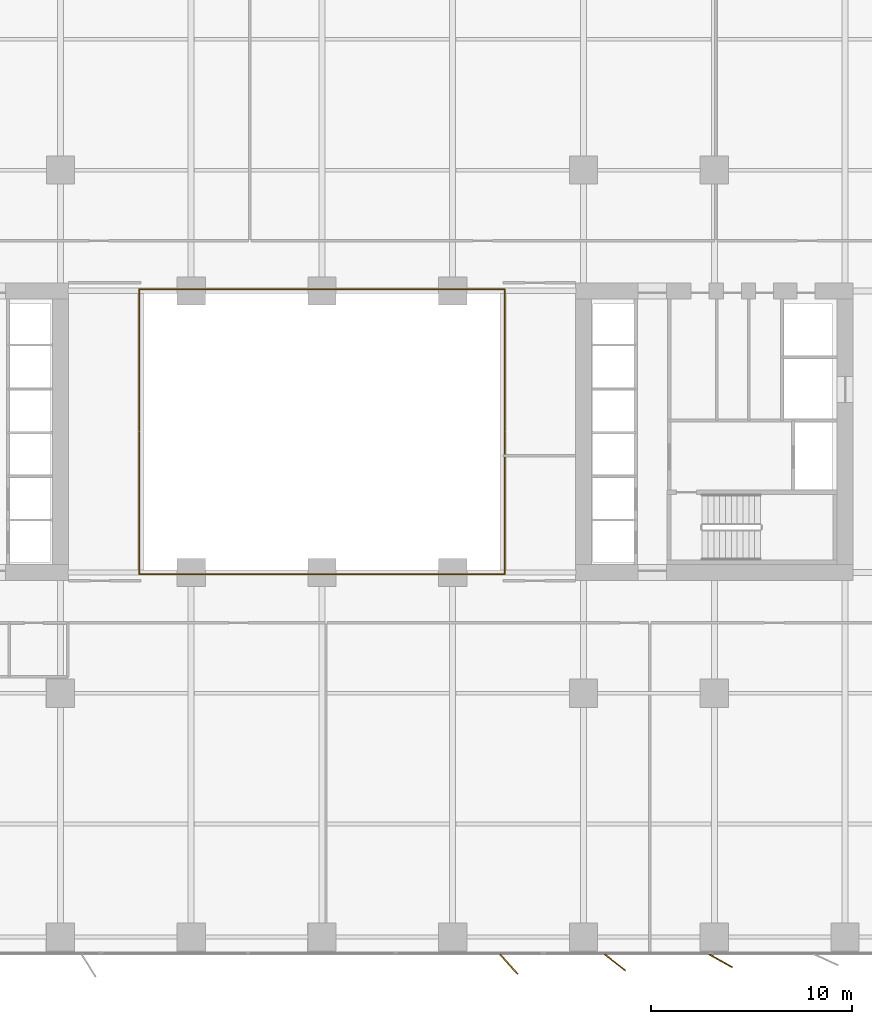
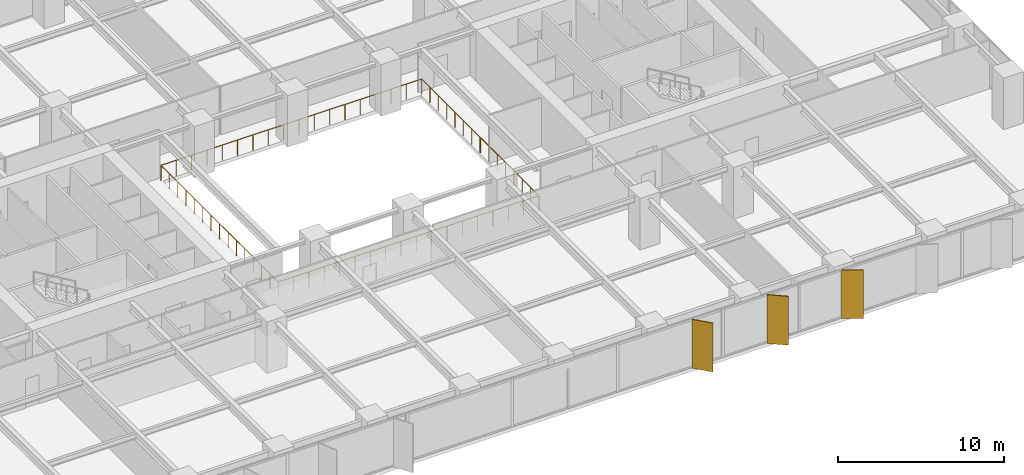
# One storey, part 19 of 21: 3 shading devices, 2 railings.
"""IFC4 building model written with IfcOpenShell, lengths in metres."""

from ifc_helpers import new_model, si_unit, direction, frame, origin, origin_2d, place, context, subcontext, project, spatial, rectangle, circle, extrude, material, layer, layer_set, type_object, element, save


model = new_model("IFC4")

# Units and contexts
model_context = context("Model", 3, precision=1e-05, world=origin(), true_north=direction((0.0, 1.0)))
body_context = subcontext(model_context, "Body", "Model", "MODEL_VIEW")
ifc_project = project(units=[si_unit("LENGTHUNIT", "METRE"), si_unit("AREAUNIT", "SQUARE_METRE"), si_unit("VOLUMEUNIT", "CUBIC_METRE"), si_unit("PLANEANGLEUNIT", "RADIAN"), si_unit("MASSUNIT", "GRAM", prefix="KILO")], contexts=[model_context])

# Site, building, storey
site_placement = place(None, origin())
site = spatial("IfcSite", under=ifc_project, at=site_placement, CompositionType="ELEMENT")
building_placement = place(site_placement, origin())
building = spatial("IfcBuilding", under=site, at=building_placement, Name="Putna Gate Headquarters", CompositionType="ELEMENT")
storey_placement = place(building_placement, frame((0.0, 0.0, 39.199951171875)))
storey = spatial("IfcBuildingStorey", under=building, at=storey_placement, Name="L08", CompositionType="ELEMENT", Elevation=39.199951171875)

# Railings
ifc_material_1 = material(Name="Anodised bronze and laminated glass atrium balustrade", Category="glass")
railing_type = type_object("IfcRailingType", Name="RAIL-ATRIUM-GUARD-1150", PredefinedType="GUARDRAIL", material=ifc_material_1)
railing_1_placement = place(storey_placement, frame((29.919921875, 25.969970703125, 0.0)))
element("IfcRailing", 1, at=railing_1_placement, inside=storey, type_object=railing_type, Name="L08 Central Atrium Glazed Balustrade South", PredefinedType="GUARDRAIL", context=body_context, shape_type="SweptSolid", body=[
    extrude(circle(Radius=0.02392578125, at=origin_2d()), frame((0.0, 0.0, 1.1259765625), z_axis=(0.0, -1.0, 0.0), x_axis=(1.0, 0.0, 0.0)), (0.0, 0.0, 1.0), 7.050048828125),
    extrude(circle(Radius=0.02392578125, at=origin_2d()), frame((0.0, -7.050048828125, 1.1259765625), z_axis=(1.0, 0.0, 0.0), x_axis=(0.0, 1.0, 0.0)), (0.0, 0.0, 1.0), 18.16015625),
    extrude(circle(Radius=0.02392578125, at=origin_2d()), frame((18.16015625, -7.050048828125, 1.1259765625), z_axis=(0.0, 1.0, 0.0), x_axis=(-1.0, 0.0, 0.0)), (0.0, 0.0, 1.0), 7.050048828125),
    extrude(circle(Radius=0.02099609375, at=origin_2d()), origin(), (0.0, 0.0, 1.0), 1.101806640625),
    extrude(circle(Radius=0.02099609375, at=origin_2d()), frame((0.0, -1.007080078125, 0.0)), (0.0, 0.0, 1.0), 1.101806640625),
    extrude(circle(Radius=0.02099609375, at=origin_2d()), frame((0.0, -2.014404296875, 0.0)), (0.0, 0.0, 1.0), 1.101806640625),
    extrude(circle(Radius=0.02099609375, at=origin_2d()), frame((0.0, -3.021484375, 0.0)), (0.0, 0.0, 1.0), 1.101806640625),
    extrude(circle(Radius=0.02099609375, at=origin_2d()), frame((0.0, -4.028564453125, 0.0)), (0.0, 0.0, 1.0), 1.101806640625),
    extrude(circle(Radius=0.02099609375, at=origin_2d()), frame((0.0, -5.03564453125, 0.0)), (0.0, 0.0, 1.0), 1.101806640625),
    extrude(circle(Radius=0.02099609375, at=origin_2d()), frame((0.0, -6.04296875, 0.0)), (0.0, 0.0, 1.0), 1.101806640625),
    extrude(circle(Radius=0.02099609375, at=origin_2d()), frame((0.0, -7.050048828125, 0.0)), (0.0, 0.0, 1.0), 1.101806640625),
    extrude(circle(Radius=0.02099609375, at=origin_2d()), frame((1.068359375, -7.050048828125, 0.0)), (0.0, 0.0, 1.0), 1.101806640625),
    extrude(circle(Radius=0.02099609375, at=origin_2d()), frame((2.136474609375, -7.050048828125, 0.0)), (0.0, 0.0, 1.0), 1.101806640625),
    extrude(circle(Radius=0.02099609375, at=origin_2d()), frame((3.204833984375, -7.050048828125, 0.0)), (0.0, 0.0, 1.0), 1.101806640625),
    extrude(circle(Radius=0.02099609375, at=origin_2d()), frame((4.27294921875, -7.050048828125, 0.0)), (0.0, 0.0, 1.0), 1.101806640625),
    extrude(circle(Radius=0.02099609375, at=origin_2d()), frame((5.34130859375, -7.050048828125, 0.0)), (0.0, 0.0, 1.0), 1.101806640625),
    extrude(circle(Radius=0.02099609375, at=origin_2d()), frame((6.409423828125, -7.050048828125, 0.0)), (0.0, 0.0, 1.0), 1.101806640625),
    extrude(circle(Radius=0.02099609375, at=origin_2d()), frame((7.477783203125, -7.050048828125, 0.0)), (0.0, 0.0, 1.0), 1.101806640625),
    extrude(circle(Radius=0.02099609375, at=origin_2d()), frame((8.5458984375, -7.050048828125, 0.0)), (0.0, 0.0, 1.0), 1.101806640625),
    extrude(circle(Radius=0.02099609375, at=origin_2d()), frame((9.6142578125, -7.050048828125, 0.0)), (0.0, 0.0, 1.0), 1.101806640625),
    extrude(circle(Radius=0.02099609375, at=origin_2d()), frame((10.682373046875, -7.050048828125, 0.0)), (0.0, 0.0, 1.0), 1.101806640625),
    extrude(circle(Radius=0.02099609375, at=origin_2d()), frame((11.750732421875, -7.050048828125, 0.0)), (0.0, 0.0, 1.0), 1.101806640625),
    extrude(circle(Radius=0.02099609375, at=origin_2d()), frame((12.81884765625, -7.050048828125, 0.0)), (0.0, 0.0, 1.0), 1.101806640625),
    extrude(circle(Radius=0.02099609375, at=origin_2d()), frame((13.88720703125, -7.050048828125, 0.0)), (0.0, 0.0, 1.0), 1.101806640625),
    extrude(circle(Radius=0.02099609375, at=origin_2d()), frame((14.955322265625, -7.050048828125, 0.0)), (0.0, 0.0, 1.0), 1.101806640625),
    extrude(circle(Radius=0.02099609375, at=origin_2d()), frame((16.023681640625, -7.050048828125, 0.0)), (0.0, 0.0, 1.0), 1.101806640625),
    extrude(circle(Radius=0.02099609375, at=origin_2d()), frame((17.091796875, -7.050048828125, 0.0)), (0.0, 0.0, 1.0), 1.101806640625),
    extrude(circle(Radius=0.02099609375, at=origin_2d()), frame((18.16015625, -7.050048828125, 0.0)), (0.0, 0.0, 1.0), 1.101806640625),
    extrude(circle(Radius=0.02099609375, at=origin_2d()), frame((18.16015625, -6.04296875, 0.0)), (0.0, 0.0, 1.0), 1.101806640625),
    extrude(circle(Radius=0.02099609375, at=origin_2d()), frame((18.16015625, -5.03564453125, 0.0)), (0.0, 0.0, 1.0), 1.101806640625),
    extrude(circle(Radius=0.02099609375, at=origin_2d()), frame((18.16015625, -4.028564453125, 0.0)), (0.0, 0.0, 1.0), 1.101806640625),
    extrude(circle(Radius=0.02099609375, at=origin_2d()), frame((18.16015625, -3.021484375, 0.0)), (0.0, 0.0, 1.0), 1.101806640625),
    extrude(circle(Radius=0.02099609375, at=origin_2d()), frame((18.16015625, -2.014404296875, 0.0)), (0.0, 0.0, 1.0), 1.101806640625),
    extrude(circle(Radius=0.02099609375, at=origin_2d()), frame((18.16015625, -1.007080078125, 0.0)), (0.0, 0.0, 1.0), 1.101806640625),
    extrude(circle(Radius=0.02099609375, at=origin_2d()), frame((18.16015625, 0.0, 0.0)), (0.0, 0.0, 1.0), 1.101806640625),
])
railing_2_placement = place(storey_placement, frame((48.080078125, 26.030029296875, 0.0)))
element("IfcRailing", 2, at=railing_2_placement, inside=storey, type_object=railing_type, Name="L08 Central Atrium Glazed Balustrade North", PredefinedType="GUARDRAIL", context=body_context, shape_type="SweptSolid", body=[
    extrude(circle(Radius=0.02392578125, at=origin_2d()), frame((0.0, 0.0, 1.1259765625), z_axis=(0.0, 1.0, 0.0), x_axis=(-1.0, 0.0, 0.0)), (0.0, 0.0, 1.0), 7.050048828125),
    extrude(circle(Radius=0.02392578125, at=origin_2d()), frame((0.0, 7.050048828125, 1.1259765625), z_axis=(-1.0, 0.0, 0.0), x_axis=(0.0, -1.0, 0.0)), (0.0, 0.0, 1.0), 18.16015625),
    extrude(circle(Radius=0.02392578125, at=origin_2d()), frame((-18.16015625, 7.050048828125, 1.1259765625), z_axis=(0.0, -1.0, 0.0), x_axis=(1.0, 0.0, 0.0)), (0.0, 0.0, 1.0), 7.050048828125),
    extrude(circle(Radius=0.02099609375, at=origin_2d()), origin(), (0.0, 0.0, 1.0), 1.101806640625),
    extrude(circle(Radius=0.02099609375, at=origin_2d()), frame((0.0, 1.007080078125, 0.0)), (0.0, 0.0, 1.0), 1.101806640625),
    extrude(circle(Radius=0.02099609375, at=origin_2d()), frame((0.0, 2.014404296875, 0.0)), (0.0, 0.0, 1.0), 1.101806640625),
    extrude(circle(Radius=0.02099609375, at=origin_2d()), frame((0.0, 3.021484375, 0.0)), (0.0, 0.0, 1.0), 1.101806640625),
    extrude(circle(Radius=0.02099609375, at=origin_2d()), frame((0.0, 4.028564453125, 0.0)), (0.0, 0.0, 1.0), 1.101806640625),
    extrude(circle(Radius=0.02099609375, at=origin_2d()), frame((0.0, 5.03564453125, 0.0)), (0.0, 0.0, 1.0), 1.101806640625),
    extrude(circle(Radius=0.02099609375, at=origin_2d()), frame((0.0, 6.04296875, 0.0)), (0.0, 0.0, 1.0), 1.101806640625),
    extrude(circle(Radius=0.02099609375, at=origin_2d()), frame((0.0, 7.050048828125, 0.0)), (0.0, 0.0, 1.0), 1.101806640625),
    extrude(circle(Radius=0.02099609375, at=origin_2d()), frame((-1.068359375, 7.050048828125, 0.0)), (0.0, 0.0, 1.0), 1.101806640625),
    extrude(circle(Radius=0.02099609375, at=origin_2d()), frame((-2.136474609375, 7.050048828125, 0.0)), (0.0, 0.0, 1.0), 1.101806640625),
    extrude(circle(Radius=0.02099609375, at=origin_2d()), frame((-3.204833984375, 7.050048828125, 0.0)), (0.0, 0.0, 1.0), 1.101806640625),
    extrude(circle(Radius=0.02099609375, at=origin_2d()), frame((-4.27294921875, 7.050048828125, 0.0)), (0.0, 0.0, 1.0), 1.101806640625),
    extrude(circle(Radius=0.02099609375, at=origin_2d()), frame((-5.34130859375, 7.050048828125, 0.0)), (0.0, 0.0, 1.0), 1.101806640625),
    extrude(circle(Radius=0.02099609375, at=origin_2d()), frame((-6.409423828125, 7.050048828125, 0.0)), (0.0, 0.0, 1.0), 1.101806640625),
    extrude(circle(Radius=0.02099609375, at=origin_2d()), frame((-7.477783203125, 7.050048828125, 0.0)), (0.0, 0.0, 1.0), 1.101806640625),
    extrude(circle(Radius=0.02099609375, at=origin_2d()), frame((-8.5458984375, 7.050048828125, 0.0)), (0.0, 0.0, 1.0), 1.101806640625),
    extrude(circle(Radius=0.02099609375, at=origin_2d()), frame((-9.6142578125, 7.050048828125, 0.0)), (0.0, 0.0, 1.0), 1.101806640625),
    extrude(circle(Radius=0.02099609375, at=origin_2d()), frame((-10.682373046875, 7.050048828125, 0.0)), (0.0, 0.0, 1.0), 1.101806640625),
    extrude(circle(Radius=0.02099609375, at=origin_2d()), frame((-11.750732421875, 7.050048828125, 0.0)), (0.0, 0.0, 1.0), 1.101806640625),
    extrude(circle(Radius=0.02099609375, at=origin_2d()), frame((-12.81884765625, 7.050048828125, 0.0)), (0.0, 0.0, 1.0), 1.101806640625),
    extrude(circle(Radius=0.02099609375, at=origin_2d()), frame((-13.88720703125, 7.050048828125, 0.0)), (0.0, 0.0, 1.0), 1.101806640625),
    extrude(circle(Radius=0.02099609375, at=origin_2d()), frame((-14.955322265625, 7.050048828125, 0.0)), (0.0, 0.0, 1.0), 1.101806640625),
    extrude(circle(Radius=0.02099609375, at=origin_2d()), frame((-16.023681640625, 7.050048828125, 0.0)), (0.0, 0.0, 1.0), 1.101806640625),
    extrude(circle(Radius=0.02099609375, at=origin_2d()), frame((-17.091796875, 7.050048828125, 0.0)), (0.0, 0.0, 1.0), 1.101806640625),
    extrude(circle(Radius=0.02099609375, at=origin_2d()), frame((-18.16015625, 7.050048828125, 0.0)), (0.0, 0.0, 1.0), 1.101806640625),
    extrude(circle(Radius=0.02099609375, at=origin_2d()), frame((-18.16015625, 6.04296875, 0.0)), (0.0, 0.0, 1.0), 1.101806640625),
    extrude(circle(Radius=0.02099609375, at=origin_2d()), frame((-18.16015625, 5.03564453125, 0.0)), (0.0, 0.0, 1.0), 1.101806640625),
    extrude(circle(Radius=0.02099609375, at=origin_2d()), frame((-18.16015625, 4.028564453125, 0.0)), (0.0, 0.0, 1.0), 1.101806640625),
    extrude(circle(Radius=0.02099609375, at=origin_2d()), frame((-18.16015625, 3.021484375, 0.0)), (0.0, 0.0, 1.0), 1.101806640625),
    extrude(circle(Radius=0.02099609375, at=origin_2d()), frame((-18.16015625, 2.014404296875, 0.0)), (0.0, 0.0, 1.0), 1.101806640625),
    extrude(circle(Radius=0.02099609375, at=origin_2d()), frame((-18.16015625, 1.007080078125, 0.0)), (0.0, 0.0, 1.0), 1.101806640625),
    extrude(circle(Radius=0.02099609375, at=origin_2d()), frame((-18.16015625, 0.0, 0.0)), (0.0, 0.0, 1.0), 1.101806640625),
])

# Shading devices
ifc_material_2 = material(Name="Anodised architectural bronze aluminium fin", Category="aluminium")
ifc_layer = layer(ifc_material_2, 0.06494140625)
ifc_layer_set = layer_set([ifc_layer], Name="Anodised architectural bronze aluminium fin")
shading_device_type = type_object("IfcShadingDeviceType", Name="SHADE-BRONZE-FIN-1320", PredefinedType="USERDEFINED", material=ifc_layer_set)
for number, where, z_axis, x_axis, name in (
    (3, (48.29150390625, -0.465576171875, -0.02001953125), (0.0, 0.0, 1.0), (0.669130606359, -0.743144825477, 0.0), "L08 Bronze Vertical Shading Fin S8"),
    (4, (53.569580078125, -0.3818359375, -0.02001953125), (0.0, 0.0, 1.0), (0.787473187632, -0.616348909921, 0.0), "L08 Bronze Vertical Shading Fin S9"),
    (5, (58.82373046875, -0.30126953125, -0.02001953125), (0.0, 0.0, 1.0), (0.869322458298, -0.494245347472, 0.0), "L08 Bronze Vertical Shading Fin S10"),
):
    element("IfcShadingDevice", number, at=place(storey_placement, frame(where, z_axis=z_axis, x_axis=x_axis)), inside=storey, type_object=shading_device_type, Name=name, ObjectType="FIN", PredefinedType="USERDEFINED", context=body_context, shape_type="SweptSolid", body=[
        extrude(rectangle(XDim=1.320068359375, YDim=0.06494140625, at=origin_2d()), origin(), (0.0, 0.0, 1.0), 3.590087890625),
    ])

save(model, "model.ifc")
